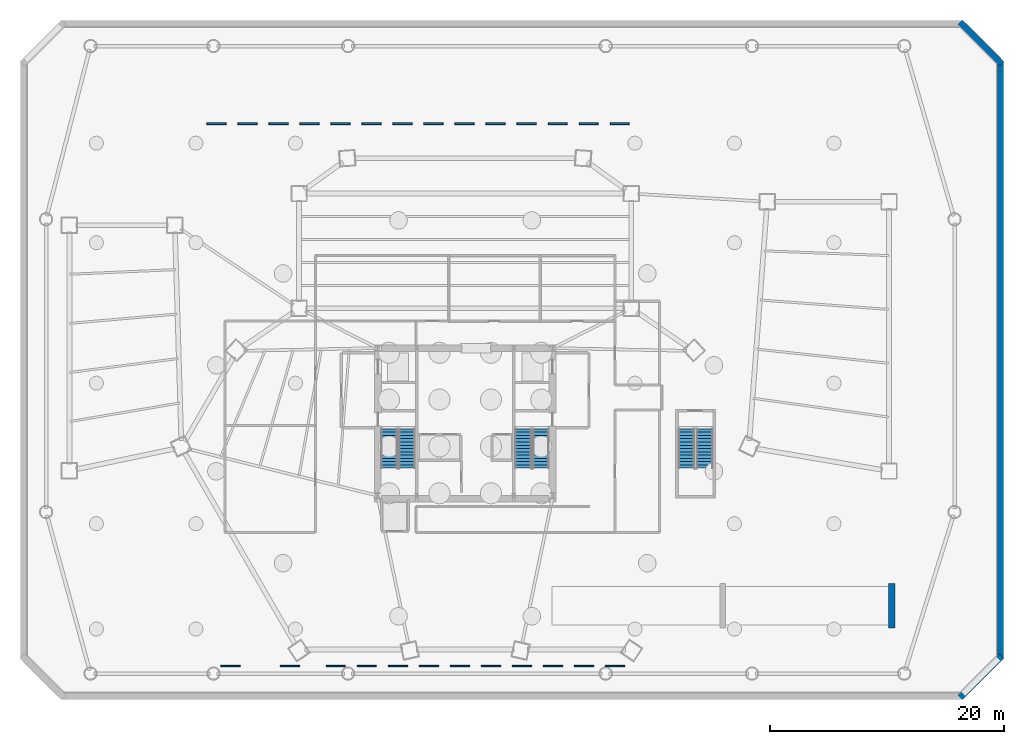
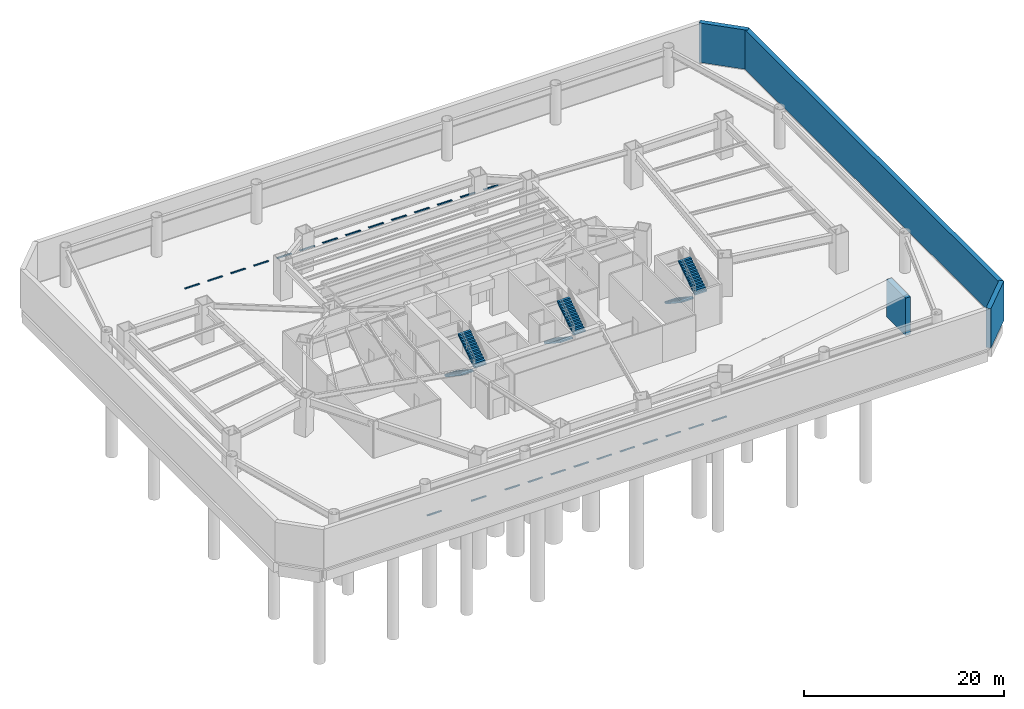
# One storey, part 9 of 11: 26 discrete accessories, 6 stair flights, 4 walls, 3 elements without a shape of their own.
"""IFC4 building model written with IfcOpenShell, lengths in metres."""

from ifc_helpers import new_model, si_unit, direction, frame, frame_2d, origin, origin_2d, place, context, subcontext, project, spatial, polyline, rectangle, outline, extrude, source, transform, mapped, material, layer, layer_set, type_object, type_shapes, element, aggregate, save


model = new_model("IFC4")

# Units and contexts
model_context = context("Model", 3, precision=1e-05, world=origin(), true_north=direction((0.0, 1.0)))
body_context = subcontext(model_context, "Body", "Model", "MODEL_VIEW")
ifc_project = project(units=[si_unit("LENGTHUNIT", "METRE"), si_unit("AREAUNIT", "SQUARE_METRE"), si_unit("VOLUMEUNIT", "CUBIC_METRE"), si_unit("PLANEANGLEUNIT", "RADIAN"), si_unit("MASSUNIT", "GRAM", prefix="KILO")], contexts=[model_context])

# Site, building, storey
site_placement = place(None, origin())
site = spatial("IfcSite", under=ifc_project, at=site_placement, CompositionType="ELEMENT")
building_placement = place(site_placement, origin())
building = spatial("IfcBuilding", under=site, at=building_placement, Name="Caelisora Broadcast Tower", CompositionType="ELEMENT")
storey_placement = place(building_placement, frame((0.0, 0.0, -4.800048828125)))
storey = spatial("IfcBuildingStorey", under=building, at=storey_placement, Name="B1", CompositionType="ELEMENT", Elevation=-4.800048828125)

# Walls
ifc_material_1 = material(Name="Concrete 65 MPa (AS 3600 S65)", Category="concrete")
ifc_layer_1 = layer(ifc_material_1, 0.550048828125, Name="Concrete 65 MPa (AS 3600 S65)")
ifc_layer_set_1 = layer_set([ifc_layer_1], Name="Concrete 65 MPa (AS 3600 S65)")
wall_type_1 = type_object("IfcWallType", Name="CW4", PredefinedType="SHEAR", material=ifc_layer_set_1)
wall_1_placement = place(storey_placement, frame((74.449951171875, 6.10009765625, 0.0), z_axis=(0.0, 0.0, 1.0), x_axis=(0.0, 1.0, 0.0)))
element("IfcWall", 1, at=wall_1_placement, inside=storey, type_object=wall_type_1, Name="B1 core shear wall CW4", PredefinedType="SHEAR", context=body_context, shape_type="SweptSolid", body=[
    extrude(rectangle(XDim=3.7998046875, YDim=0.550048828125, at=frame_2d((1.89990234375, 0.0))), origin(), (0.0, 0.0, 1.0), 4.580078125),
])
ifc_material_2 = material(Name="Concrete 50 MPa (AS 3600 S50)", Category="concrete")
ifc_layer_2 = layer(ifc_material_2, 0.52001953125, Name="Concrete 50 MPa (AS 3600 S50)")
ifc_layer_set_2 = layer_set([ifc_layer_2], Name="Concrete 50 MPa (AS 3600 S50)")
wall_type_2 = type_object("IfcWallType", Name="RW1", PredefinedType="SOLIDWALL", material=ifc_layer_set_2)
wall_2_placement = place(storey_placement, frame((80.293212890625, 57.839111328125, 0.0), z_axis=(0.0, 0.0, 1.0), x_axis=(0.707106781187, -0.707106781187, 0.0)))
element("IfcWall", 2, at=wall_2_placement, inside=storey, type_object=wall_type_2, Name="B1 basement retaining wall RW1", PredefinedType="SOLIDWALL", context=body_context, shape_type="SweptSolid", body=[
    extrude(rectangle(XDim=5.0146484375, YDim=0.52001953125, at=frame_2d((2.50732421875, 0.0))), origin(), (0.0, 0.0, 1.0), 4.800048828125),
])
wall_3_placement = place(storey_placement, frame((83.739990234375, 54.412353515625, 0.0), z_axis=(0.0, 0.0, 1.0), x_axis=(0.0, -1.0, 0.0)))
element("IfcWall", 3, at=wall_3_placement, inside=storey, type_object=wall_type_2, Name="B1 basement retaining wall RW1", PredefinedType="SOLIDWALL", context=body_context, shape_type="SweptSolid", body=[
    extrude(rectangle(XDim=50.82470703125, YDim=0.52001953125, at=frame_2d((25.412353515625, 0.0))), origin(), (0.0, 0.0, 1.0), 4.800048828125),
])
wall_4_placement = place(storey_placement, frame((83.839111328125, 3.706787109375, 0.0), z_axis=(0.0, 0.0, 1.0), x_axis=(-0.707106781187, -0.707106781187, 0.0)))
element("IfcWall", 4, at=wall_4_placement, inside=storey, type_object=wall_type_2, Name="B1 basement retaining wall RW1", PredefinedType="SOLIDWALL", context=body_context, shape_type="SweptSolid", body=[
    extrude(rectangle(XDim=5.0146484375, YDim=0.52001953125, at=frame_2d((2.50732421875, 0.0))), origin(), (0.0, 0.0, 1.0), 4.800048828125),
])

# Stair, stair flights
ifc_material_3 = material(Name="Concrete 40 MPa (AS 3600 N40)", Category="concrete")
stair_type_1 = type_object("IfcStairType", Name="ST-1", PredefinedType="HALF_TURN_STAIR", material=ifc_material_3)
stair_1_placement = place(storey_placement, origin())
stair_1 = element("IfcStair", 5, at=stair_1_placement, inside=storey, type_object=stair_type_1, Name="B1 West Fire-Isolated Tower Stair", PredefinedType="HALF_TURN_STAIR")
stair_flight_type = type_object("IfcStairFlightType", Name="STF-1", PredefinedType="STRAIGHT", material=ifc_material_3)
stair_flight_1_placement = place(storey_placement, frame((31.52001953125, 23.10009765625, 0.0), z_axis=(0.0, 0.0, 1.0), x_axis=(0.0, -1.0, 0.0)))
stair_flight_1 = element("IfcStairFlight", 6, at=stair_flight_1_placement, type_object=stair_flight_type, Name="ST-1 flight 1", NumberOfRisers=13, NumberOfTreads=12, PredefinedType="STRAIGHT", RiserHeight=0.184615385, TreadLength=0.28, context=body_context, shape_type="SweptSolid", body=[
    extrude(outline(polyline([(0.0, 0.0), (0.0, 0.1845703125), (0.280029296875, 0.1845703125), (0.280029296875, 0.369140625), (0.56005859375, 0.369140625), (0.56005859375, 0.553955078125), (0.840087890625, 0.553955078125), (0.840087890625, 0.738525390625), (1.1201171875, 0.738525390625), (1.1201171875, 0.923095703125), (1.39990234375, 0.923095703125), (1.39990234375, 1.107666015625), (1.679931640625, 1.107666015625), (1.679931640625, 1.292236328125), (1.9599609375, 1.292236328125), (1.9599609375, 1.476806640625), (2.239990234375, 1.476806640625), (2.239990234375, 1.66162109375), (2.52001953125, 1.66162109375), (2.52001953125, 1.84619140625), (2.800048828125, 1.84619140625), (2.800048828125, 2.03076171875), (3.080078125, 2.03076171875), (3.080078125, 2.21533203125), (3.360107421875, 2.21533203125), (3.360107421875, 2.39990234375), (3.360107421875, 2.035888671875), (0.272216796875, 0.0), (0.0, 0.0)])), frame((0.0, 0.699951171875, 0.0), z_axis=(0.0, -1.0, 0.0), x_axis=(1.0, 0.0, 0.0)), (0.0, 0.0, 1.0), 1.39990234375),
])
stair_flight_2_placement = place(storey_placement, frame((33.0400390625, 19.739990234375, 2.400146484375), z_axis=(0.0, 0.0, 1.0), x_axis=(0.0, 1.0, 0.0)))
stair_flight_2 = element("IfcStairFlight", 7, at=stair_flight_2_placement, type_object=stair_flight_type, Name="ST-1 flight 2", NumberOfRisers=13, NumberOfTreads=12, PredefinedType="STRAIGHT", RiserHeight=0.184615385, TreadLength=0.28, context=body_context, shape_type="SweptSolid", body=[
    extrude(outline(polyline([(0.0, 0.0), (0.0, 0.1845703125), (0.280029296875, 0.1845703125), (0.280029296875, 0.369140625), (0.56005859375, 0.369140625), (0.56005859375, 0.553955078125), (0.840087890625, 0.553955078125), (0.840087890625, 0.738525390625), (1.1201171875, 0.738525390625), (1.1201171875, 0.923095703125), (1.39990234375, 0.923095703125), (1.39990234375, 1.107666015625), (1.679931640625, 1.107666015625), (1.679931640625, 1.292236328125), (1.9599609375, 1.292236328125), (1.9599609375, 1.476806640625), (2.239990234375, 1.476806640625), (2.239990234375, 1.66162109375), (2.52001953125, 1.66162109375), (2.52001953125, 1.84619140625), (2.800048828125, 1.84619140625), (2.800048828125, 2.03076171875), (3.080078125, 2.03076171875), (3.080078125, 2.21533203125), (3.360107421875, 2.21533203125), (3.360107421875, 2.39990234375), (3.360107421875, 2.035888671875), (0.272216796875, 0.0), (0.0, 0.0)])), frame((0.0, 0.699951171875, 0.0), z_axis=(0.0, -1.0, 0.0), x_axis=(1.0, 0.0, 0.0)), (0.0, 0.0, 1.0), 1.39990234375),
])
aggregate(stair_1, [stair_flight_1, stair_flight_2])

stair_type_2 = type_object("IfcStairType", Name="ST-2", PredefinedType="HALF_TURN_STAIR", material=ifc_material_3)
stair_2_placement = place(storey_placement, origin())
stair_2 = element("IfcStair", 8, at=stair_2_placement, inside=storey, type_object=stair_type_2, Name="B1 East Fire-Isolated Tower Stair", PredefinedType="HALF_TURN_STAIR")
stair_flight_3_placement = place(storey_placement, frame((42.9599609375, 23.10009765625, 0.0), z_axis=(0.0, 0.0, 1.0), x_axis=(0.0, -1.0, 0.0)))
stair_flight_3 = element("IfcStairFlight", 9, at=stair_flight_3_placement, type_object=stair_flight_type, Name="ST-2 flight 1", NumberOfRisers=13, NumberOfTreads=12, PredefinedType="STRAIGHT", RiserHeight=0.184615385, TreadLength=0.28, context=body_context, shape_type="SweptSolid", body=[
    extrude(outline(polyline([(0.0, 0.0), (0.0, 0.1845703125), (0.280029296875, 0.1845703125), (0.280029296875, 0.369140625), (0.56005859375, 0.369140625), (0.56005859375, 0.553955078125), (0.840087890625, 0.553955078125), (0.840087890625, 0.738525390625), (1.1201171875, 0.738525390625), (1.1201171875, 0.923095703125), (1.39990234375, 0.923095703125), (1.39990234375, 1.107666015625), (1.679931640625, 1.107666015625), (1.679931640625, 1.292236328125), (1.9599609375, 1.292236328125), (1.9599609375, 1.476806640625), (2.239990234375, 1.476806640625), (2.239990234375, 1.66162109375), (2.52001953125, 1.66162109375), (2.52001953125, 1.84619140625), (2.800048828125, 1.84619140625), (2.800048828125, 2.03076171875), (3.080078125, 2.03076171875), (3.080078125, 2.21533203125), (3.360107421875, 2.21533203125), (3.360107421875, 2.39990234375), (3.360107421875, 2.035888671875), (0.272216796875, 0.0), (0.0, 0.0)])), frame((0.0, 0.699951171875, 0.0), z_axis=(0.0, -1.0, 0.0), x_axis=(1.0, 0.0, 0.0)), (0.0, 0.0, 1.0), 1.39990234375),
])
stair_flight_4_placement = place(storey_placement, frame((44.47998046875, 19.739990234375, 2.400146484375), z_axis=(0.0, 0.0, 1.0), x_axis=(0.0, 1.0, 0.0)))
stair_flight_4 = element("IfcStairFlight", 10, at=stair_flight_4_placement, type_object=stair_flight_type, Name="ST-2 flight 2", NumberOfRisers=13, NumberOfTreads=12, PredefinedType="STRAIGHT", RiserHeight=0.184615385, TreadLength=0.28, context=body_context, shape_type="SweptSolid", body=[
    extrude(outline(polyline([(0.0, 0.0), (0.0, 0.1845703125), (0.280029296875, 0.1845703125), (0.280029296875, 0.369140625), (0.56005859375, 0.369140625), (0.56005859375, 0.553955078125), (0.840087890625, 0.553955078125), (0.840087890625, 0.738525390625), (1.1201171875, 0.738525390625), (1.1201171875, 0.923095703125), (1.39990234375, 0.923095703125), (1.39990234375, 1.107666015625), (1.679931640625, 1.107666015625), (1.679931640625, 1.292236328125), (1.9599609375, 1.292236328125), (1.9599609375, 1.476806640625), (2.239990234375, 1.476806640625), (2.239990234375, 1.66162109375), (2.52001953125, 1.66162109375), (2.52001953125, 1.84619140625), (2.800048828125, 1.84619140625), (2.800048828125, 2.03076171875), (3.080078125, 2.03076171875), (3.080078125, 2.21533203125), (3.360107421875, 2.21533203125), (3.360107421875, 2.39990234375), (3.360107421875, 2.035888671875), (0.272216796875, 0.0), (0.0, 0.0)])), frame((0.0, 0.699951171875, 0.0), z_axis=(0.0, -1.0, 0.0), x_axis=(1.0, 0.0, 0.0)), (0.0, 0.0, 1.0), 1.39990234375),
])
aggregate(stair_2, [stair_flight_3, stair_flight_4])

stair_type_3 = type_object("IfcStairType", Name="ST-3", PredefinedType="HALF_TURN_STAIR", material=ifc_material_3)
stair_3_placement = place(storey_placement, origin())
stair_3 = element("IfcStair", 11, at=stair_3_placement, inside=storey, type_object=stair_type_3, Name="B1 Podium Broadcast Studio Exit Stair", PredefinedType="HALF_TURN_STAIR")
stair_flight_5_placement = place(storey_placement, frame((56.89990234375, 23.10009765625, 0.0), z_axis=(0.0, 0.0, 1.0), x_axis=(0.0, -1.0, 0.0)))
stair_flight_5 = element("IfcStairFlight", 12, at=stair_flight_5_placement, type_object=stair_flight_type, Name="ST-3 flight 1", NumberOfRisers=13, NumberOfTreads=12, PredefinedType="STRAIGHT", RiserHeight=0.184615385, TreadLength=0.28, context=body_context, shape_type="SweptSolid", body=[
    extrude(outline(polyline([(0.0, 0.0), (0.0, 0.1845703125), (0.280029296875, 0.1845703125), (0.280029296875, 0.369140625), (0.56005859375, 0.369140625), (0.56005859375, 0.553955078125), (0.840087890625, 0.553955078125), (0.840087890625, 0.738525390625), (1.1201171875, 0.738525390625), (1.1201171875, 0.923095703125), (1.39990234375, 0.923095703125), (1.39990234375, 1.107666015625), (1.679931640625, 1.107666015625), (1.679931640625, 1.292236328125), (1.9599609375, 1.292236328125), (1.9599609375, 1.476806640625), (2.239990234375, 1.476806640625), (2.239990234375, 1.66162109375), (2.52001953125, 1.66162109375), (2.52001953125, 1.84619140625), (2.800048828125, 1.84619140625), (2.800048828125, 2.03076171875), (3.080078125, 2.03076171875), (3.080078125, 2.21533203125), (3.360107421875, 2.21533203125), (3.360107421875, 2.39990234375), (3.360107421875, 2.035888671875), (0.272216796875, 0.0), (0.0, 0.0)])), frame((0.0, 0.699951171875, 0.0), z_axis=(0.0, -1.0, 0.0), x_axis=(1.0, 0.0, 0.0)), (0.0, 0.0, 1.0), 1.39990234375),
])
stair_flight_6_placement = place(storey_placement, frame((58.4599609375, 19.739990234375, 2.400146484375), z_axis=(0.0, 0.0, 1.0), x_axis=(0.0, 1.0, 0.0)))
stair_flight_6 = element("IfcStairFlight", 13, at=stair_flight_6_placement, type_object=stair_flight_type, Name="ST-3 flight 2", NumberOfRisers=13, NumberOfTreads=12, PredefinedType="STRAIGHT", RiserHeight=0.184615385, TreadLength=0.28, context=body_context, shape_type="SweptSolid", body=[
    extrude(outline(polyline([(0.0, 0.0), (0.0, 0.1845703125), (0.280029296875, 0.1845703125), (0.280029296875, 0.369140625), (0.56005859375, 0.369140625), (0.56005859375, 0.553955078125), (0.840087890625, 0.553955078125), (0.840087890625, 0.738525390625), (1.1201171875, 0.738525390625), (1.1201171875, 0.923095703125), (1.39990234375, 0.923095703125), (1.39990234375, 1.107666015625), (1.679931640625, 1.107666015625), (1.679931640625, 1.292236328125), (1.9599609375, 1.292236328125), (1.9599609375, 1.476806640625), (2.239990234375, 1.476806640625), (2.239990234375, 1.66162109375), (2.52001953125, 1.66162109375), (2.52001953125, 1.84619140625), (2.800048828125, 1.84619140625), (2.800048828125, 2.03076171875), (3.080078125, 2.03076171875), (3.080078125, 2.21533203125), (3.360107421875, 2.21533203125), (3.360107421875, 2.39990234375), (3.360107421875, 2.035888671875), (0.272216796875, 0.0), (0.0, 0.0)])), frame((0.0, 0.699951171875, 0.0), z_axis=(0.0, -1.0, 0.0), x_axis=(1.0, 0.0, 0.0)), (0.0, 0.0, 1.0), 1.39990234375),
])
aggregate(stair_3, [stair_flight_5, stair_flight_6])

# Discrete accessories
ifc_material_4 = material(Name="Precast Concrete 40 MPa (AS 3600 N40)", Category="concrete")
discrete_accessory_type = type_object("IfcDiscreteAccessoryType", Name="WS-1", PredefinedType="USERDEFINED", material=ifc_material_4)
shared_shape = source(origin(), body_context, "Body", "SweptSolid", [
    extrude(rectangle(XDim=1.64990234375, YDim=0.159912109375, at=origin_2d()), origin(), (0.0, 0.0, 1.0), 0.10009765625),
])
type_shapes(discrete_accessory_type, [shared_shape])
for number, where, z_axis, x_axis, name in (
    (14, (17.949951171875, 2.85009765625, 0.0), (0.0, 0.0, 1.0), (1.0, 0.0, 0.0), "Accessible Car Parking Bay Wheel Stop PK-A01"),
    (15, (23.050048828125, 2.85009765625, 0.0), (0.0, 0.0, 1.0), (1.0, 0.0, 0.0), "Accessible Car Parking Bay Wheel Stop PK-A02"),
    (16, (26.949951171875, 2.85009765625, 0.0), (0.0, 0.0, 1.0), (1.0, 0.0, 0.0), "Standard Car Parking Bay Wheel Stop PK-01"),
    (17, (29.60009765625, 2.85009765625, 0.0), (0.0, 0.0, 1.0), (1.0, 0.0, 0.0), "Standard Car Parking Bay Wheel Stop PK-02"),
    (18, (32.25, 2.85009765625, 0.0), (0.0, 0.0, 1.0), (1.0, 0.0, 0.0), "Standard Car Parking Bay Wheel Stop PK-03"),
    (19, (34.89990234375, 2.85009765625, 0.0), (0.0, 0.0, 1.0), (1.0, 0.0, 0.0), "Standard Car Parking Bay Wheel Stop PK-04"),
    (20, (37.550048828125, 2.85009765625, 0.0), (0.0, 0.0, 1.0), (1.0, 0.0, 0.0), "Standard Car Parking Bay Wheel Stop PK-05"),
    (21, (40.199951171875, 2.85009765625, 0.0), (0.0, 0.0, 1.0), (1.0, 0.0, 0.0), "Standard Car Parking Bay Wheel Stop PK-06"),
    (22, (42.85009765625, 2.85009765625, 0.0), (0.0, 0.0, 1.0), (1.0, 0.0, 0.0), "Standard Car Parking Bay Wheel Stop PK-07"),
    (23, (45.5, 2.85009765625, 0.0), (0.0, 0.0, 1.0), (1.0, 0.0, 0.0), "Standard Car Parking Bay Wheel Stop PK-08"),
    (24, (48.14990234375, 2.85009765625, 0.0), (0.0, 0.0, 1.0), (1.0, 0.0, 0.0), "Standard Car Parking Bay Wheel Stop PK-09"),
    (25, (50.800048828125, 2.85009765625, 0.0), (0.0, 0.0, 1.0), (1.0, 0.0, 0.0), "Standard Car Parking Bay Wheel Stop PK-10"),
    (26, (16.75, 49.14990234375, 0.0), (0.0, 0.0, 1.0), (1.0, 0.0, 0.0), "Standard Car Parking Bay Wheel Stop PK-11"),
    (27, (19.39990234375, 49.14990234375, 0.0), (0.0, 0.0, 1.0), (1.0, 0.0, 0.0), "Standard Car Parking Bay Wheel Stop PK-12"),
    (28, (22.050048828125, 49.14990234375, 0.0), (0.0, 0.0, 1.0), (1.0, 0.0, 0.0), "Standard Car Parking Bay Wheel Stop PK-13"),
    (29, (24.699951171875, 49.14990234375, 0.0), (0.0, 0.0, 1.0), (1.0, 0.0, 0.0), "Standard Car Parking Bay Wheel Stop PK-14"),
    (30, (27.35009765625, 49.14990234375, 0.0), (0.0, 0.0, 1.0), (1.0, 0.0, 0.0), "Standard Car Parking Bay Wheel Stop PK-15"),
    (31, (30.0, 49.14990234375, 0.0), (0.0, 0.0, 1.0), (1.0, 0.0, 0.0), "Standard Car Parking Bay Wheel Stop PK-16"),
    (32, (32.64990234375, 49.14990234375, 0.0), (0.0, 0.0, 1.0), (1.0, 0.0, 0.0), "Standard Car Parking Bay Wheel Stop PK-17"),
    (33, (35.300048828125, 49.14990234375, 0.0), (0.0, 0.0, 1.0), (1.0, 0.0, 0.0), "Standard Car Parking Bay Wheel Stop PK-18"),
    (34, (37.949951171875, 49.14990234375, 0.0), (0.0, 0.0, 1.0), (1.0, 0.0, 0.0), "Standard Car Parking Bay Wheel Stop PK-19"),
    (35, (40.60009765625, 49.14990234375, 0.0), (0.0, 0.0, 1.0), (1.0, 0.0, 0.0), "Standard Car Parking Bay Wheel Stop PK-20"),
    (36, (43.25, 49.14990234375, 0.0), (0.0, 0.0, 1.0), (1.0, 0.0, 0.0), "Standard Car Parking Bay Wheel Stop PK-21"),
    (37, (45.89990234375, 49.14990234375, 0.0), (0.0, 0.0, 1.0), (1.0, 0.0, 0.0), "Standard Car Parking Bay Wheel Stop PK-22"),
    (38, (48.550048828125, 49.14990234375, 0.0), (0.0, 0.0, 1.0), (1.0, 0.0, 0.0), "Standard Car Parking Bay Wheel Stop PK-23"),
    (39, (51.199951171875, 49.14990234375, 0.0), (0.0, 0.0, 1.0), (1.0, 0.0, 0.0), "Standard Car Parking Bay Wheel Stop PK-24"),
):
    element("IfcDiscreteAccessory", number, at=place(storey_placement, frame(where, z_axis=z_axis, x_axis=x_axis)), inside=storey, type_object=discrete_accessory_type, Name=name, ObjectType="WHEEL STOP", PredefinedType="USERDEFINED", context=body_context, shape_type="MappedRepresentation", body=[
        mapped(shared_shape, transform((0.0, 0.0, 0.0), scale=1.0)),
    ])

save(model, "model.ifc")
